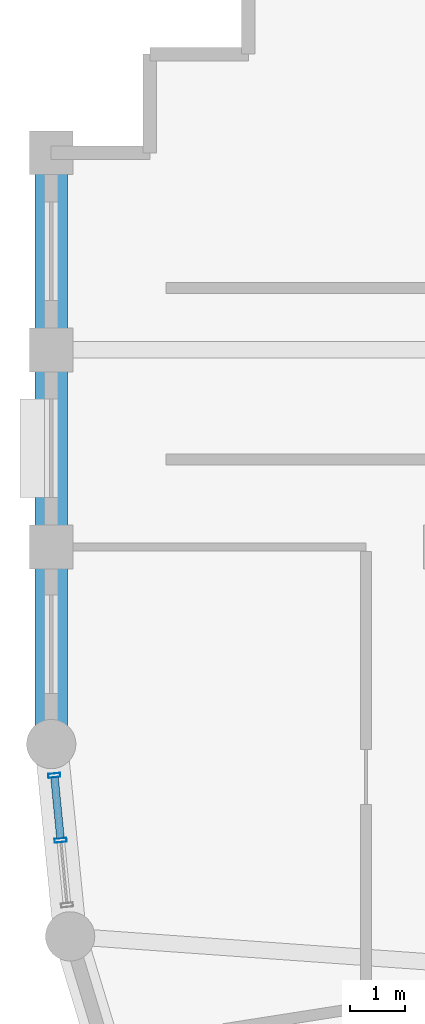
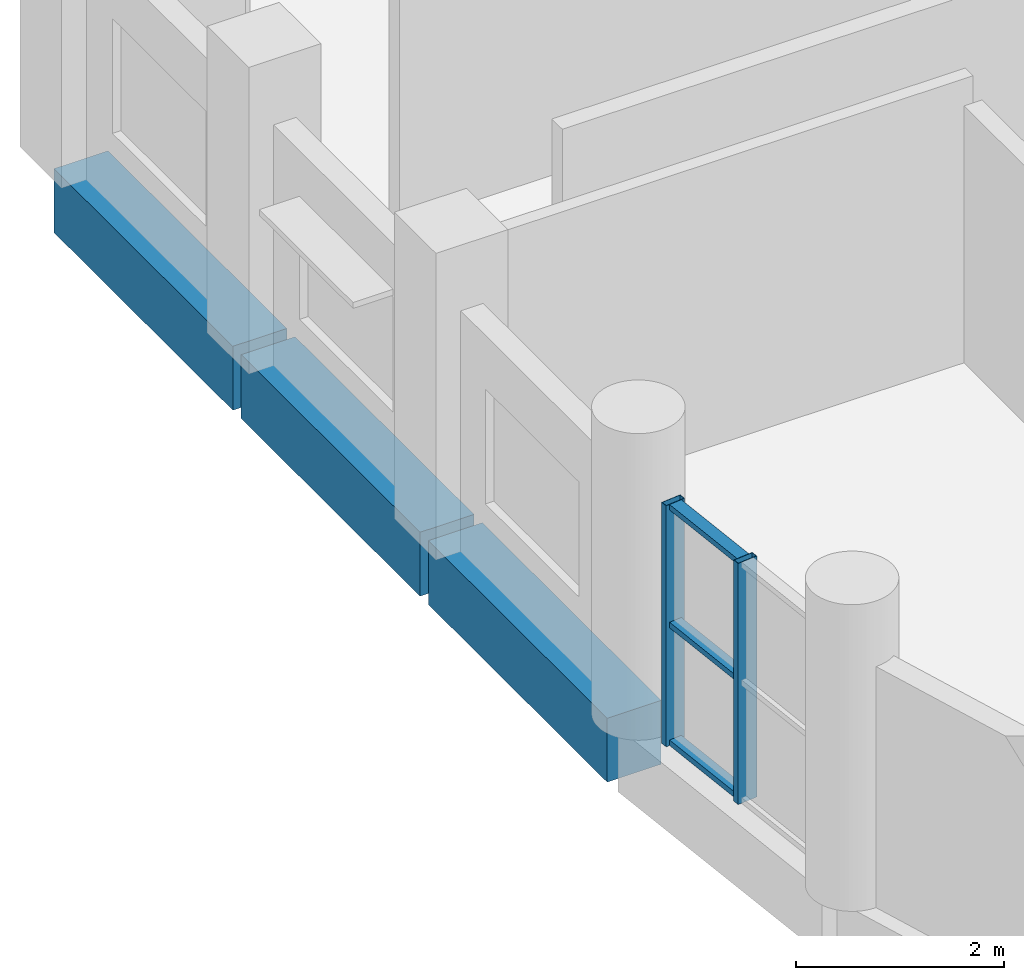
# One storey, part 5 of 12: 5 members, 3 beams, 1 element without a shape of its own.
"""IFC4 building model written with IfcOpenShell, lengths in metres."""

import ifcopenshell
import ifcopenshell.guid

model = None  # the IFC model being written
_history = None  # IfcOwnerHistory: only IFC2X3 demands one
_inside = {}  # id of a spatial element -> (the spatial element, [elements in it])
_under = {}  # id of a project, library or spatial element -> (it, [spatial elements below it])
_declared = {}  # id of a project -> (the project, [libraries it declares])
_typed = {}  # id of a type object -> (the type object, [elements of that type])
_made_of = {}  # id of a material, layer set ... -> (it, [elements and type objects made of it])


def new_model(schema):
    """Start an empty IFC model of exactly this schema.

    Asked for "IFC4X3", IfcOpenShell would pick the latest addendum, in which some entities
    have other attributes; the version numbers below select the first issue.
    IFC2X3 requires an IfcOwnerHistory on every rooted entity: one is made here for all.
    """
    global model, _history
    if schema == "IFC4X3":
        model = ifcopenshell.file(schema_version=(4, 3, 0, 0))
    else:
        model = ifcopenshell.file(schema=schema)
    _inside.clear()
    _under.clear()
    _declared.clear()
    _typed.clear()
    _made_of.clear()
    _history = None
    if model.schema == "IFC2X3":
        org = make("IfcOrganization", Name="unknown")
        user = make(
            "IfcPersonAndOrganization",
            ThePerson=make("IfcPerson", FamilyName="unknown"),
            TheOrganization=org,
        )
        app = make(
            "IfcApplication",
            ApplicationDeveloper=org,
            Version="unknown",
            ApplicationFullName="unknown",
            ApplicationIdentifier="unknown",
        )
        _history = make(
            "IfcOwnerHistory",
            OwningUser=user,
            OwningApplication=app,
            ChangeAction="ADDED",
            CreationDate=0,
        )
    return model


def make(cls, **values):
    """One entity of the class cls with the attributes given. An attribute that is None is left unset."""
    return model.create_entity(
        cls, **{name: value for name, value in values.items() if value is not None}
    )


def rooted(cls, **values):
    """An entity with a GlobalId (a new one), such as an element, a storey or a relation."""
    return make(cls, GlobalId=ifcopenshell.guid.new(), OwnerHistory=_history, **values)


def si_unit(unit_type, name, prefix=None):
    """IfcSIUnit, for example si_unit("LENGTHUNIT", "METRE", prefix="MILLI")."""
    return make("IfcSIUnit", UnitType=unit_type, Prefix=prefix, Name=name)


def assignment(units):
    """IfcUnitAssignment: the units of a project."""
    return None if units is None else make("IfcUnitAssignment", Units=units)


def point(xyz):
    """IfcCartesianPoint."""
    return None if xyz is None else make("IfcCartesianPoint", Coordinates=xyz)


def direction(xyz):
    """IfcDirection."""
    return None if xyz is None else make("IfcDirection", DirectionRatios=xyz)


def frame(location, z_axis=None, x_axis=None):
    """IfcAxis2Placement3D, a coordinate frame: its origin and axes. An axis left out is left unset."""
    return make(
        "IfcAxis2Placement3D",
        Location=point(location),
        Axis=direction(z_axis),
        RefDirection=direction(x_axis),
    )


def frame_2d(location, x_axis=None):
    """IfcAxis2Placement2D, a coordinate frame in the plane: its origin and x axis."""
    return make(
        "IfcAxis2Placement2D", Location=point(location), RefDirection=direction(x_axis)
    )


def origin():
    """The frame at (0, 0, 0) with its axes left unset."""
    return frame((0.0, 0.0, 0.0))


def origin_2d():
    """The frame at (0, 0) in the plane with its x axis left unset."""
    return frame_2d((0.0, 0.0))


def place(relative_to, where):
    """IfcLocalPlacement: puts the frame where relative to a parent placement (None: the world)."""
    return make(
        "IfcLocalPlacement", PlacementRelTo=relative_to, RelativePlacement=where
    )


def context(
    kind, dimensions, precision=None, world=None, true_north=None, identifier=None
):
    """IfcGeometricRepresentationContext, for example the 3D "Model" context."""
    return make(
        "IfcGeometricRepresentationContext",
        ContextIdentifier=identifier,
        ContextType=kind,
        CoordinateSpaceDimension=dimensions,
        Precision=precision,
        WorldCoordinateSystem=world,
        TrueNorth=true_north,
    )


def subcontext(parent, identifier, kind, view, scale=None):
    """IfcGeometricRepresentationSubContext, for example "Body" below "Model"."""
    return make(
        "IfcGeometricRepresentationSubContext",
        ContextIdentifier=identifier,
        ContextType=kind,
        ParentContext=parent,
        TargetScale=scale,
        TargetView=view,
    )


def project(units=None, contexts=None):
    """IfcProject with its units and contexts."""
    return rooted(
        "IfcProject",
        Name="project",
        RepresentationContexts=contexts,
        UnitsInContext=assignment(units),
    )


def spatial(cls, under=None, at=None, **own):
    """A site, building, storey or space (cls), placed at a placement, below another one or the project."""
    s = rooted(cls, ObjectPlacement=at, **own)
    if under is not None:
        _under.setdefault(under.id(), (under, []))[1].append(s)
    return s


def profile(cls, at=None, kind="AREA", **sizes):
    """A parametric profile (cls). Its sizes go by their IFC names, for example OverallWidth=200.0."""
    return make(cls, ProfileType=kind, Position=at, **sizes)


def rectangle(**sizes):
    """IfcRectangleProfileDef."""
    return profile("IfcRectangleProfileDef", **sizes)


def hollow_rectangle(**sizes):
    """IfcRectangleHollowProfileDef."""
    return profile("IfcRectangleHollowProfileDef", **sizes)


def extrude(swept, where, along, depth):
    """IfcExtrudedAreaSolid: the profile swept, set in the frame where, extruded along a direction by depth."""
    return make(
        "IfcExtrudedAreaSolid",
        SweptArea=swept,
        Position=where,
        ExtrudedDirection=direction(along),
        Depth=depth,
    )


def shape(context_of_items, identifier, shape_type, items):
    """IfcShapeRepresentation: the items that make up one representation, for example the "Body"."""
    return make(
        "IfcShapeRepresentation",
        ContextOfItems=context_of_items,
        RepresentationIdentifier=identifier,
        RepresentationType=shape_type,
        Items=items,
    )


def material(Name=None, Category=None):
    """IfcMaterial."""
    return make("IfcMaterial", Name=Name, Category=Category)


def layer(
    of_material, thickness, ventilated=None, Name=None, Category=None, Priority=None
):
    """IfcMaterialLayer: one layer of a wall or slab, of a material (None: an air gap)."""
    return make(
        "IfcMaterialLayer",
        Material=of_material,
        LayerThickness=thickness,
        IsVentilated=ventilated,
        Name=Name,
        Category=Category,
        Priority=Priority,
    )


def layer_set(layers, Name=None):
    """IfcMaterialLayerSet."""
    return make("IfcMaterialLayerSet", MaterialLayers=layers, LayerSetName=Name)


def material_profile(
    of_material, cross_section, Name=None, Category=None, Priority=None
):
    """IfcMaterialProfile: a cross section and its material."""
    return make(
        "IfcMaterialProfile",
        Name=Name,
        Material=of_material,
        Profile=cross_section,
        Priority=Priority,
        Category=Category,
    )


def profile_set(profiles, Name=None, composite=None):
    """IfcMaterialProfileSet."""
    return make(
        "IfcMaterialProfileSet",
        Name=Name,
        MaterialProfiles=profiles,
        CompositeProfile=composite,
    )


def made_of(thing, what):
    """Note that an element or type object is made of a material, layer set ...; save() writes the relation."""
    if what is not None:
        _made_of.setdefault(what.id(), (what, []))[1].append(thing)
    return thing


def type_object(cls, material=None, **own):
    """A type object (cls), such as IfcWallType, which elements share."""
    return made_of(rooted(cls, **own), material)


def element(
    cls,
    number,
    at=None,
    inside=None,
    cuts=None,
    type_object=None,
    material=None,
    context=None,
    identifier="Body",
    shape_type=None,
    held_by="IfcProductDefinitionShape",
    body=None,
    shapes=None,
    **own,
):
    """One element of the class cls, such as IfcWall. Its Tag is "e" and its number.

    at: its placement. inside: the storey or other place that contains it. cuts: it is an
    opening in that element (IfcRelVoidsElement). A single representation is given by context,
    identifier, shape_type and body (its items); several are given by shapes. held_by: the class
    of the entity that holds the representations. save() writes the other relations.
    """
    e = rooted(cls, Tag="e%d" % number, ObjectPlacement=at, **own)
    if body is not None:
        shapes = [shape(context, identifier, shape_type, body)]
    if shapes is not None:
        e.Representation = make(held_by, Representations=shapes)
    if inside is not None:
        _inside.setdefault(inside.id(), (inside, []))[1].append(e)
    if cuts is not None:
        rooted(
            "IfcRelVoidsElement", RelatingBuildingElement=cuts, RelatedOpeningElement=e
        )
    if type_object is not None:
        _typed.setdefault(type_object.id(), (type_object, []))[1].append(e)
    return made_of(e, material)


def aggregate(whole, parts):
    """IfcRelAggregates: a whole, such as a stair, and the parts it consists of."""
    return rooted("IfcRelAggregates", RelatingObject=whole, RelatedObjects=parts)


def save(model, path):
    """Write the relations noted so far, then the file.

    IfcRelAggregates (storeys below a building ...), IfcRelContainedInSpatialStructure (elements
    in a storey), IfcRelDefinesByType, IfcRelAssociatesMaterial and IfcRelDeclares: one each for
    every whole, place, type object, material and project.
    """
    for whole, parts in _under.values():
        aggregate(whole, parts)
    for where, things in _inside.values():
        rooted(
            "IfcRelContainedInSpatialStructure",
            RelatedElements=things,
            RelatingStructure=where,
        )
    for kind, things in _typed.values():
        rooted("IfcRelDefinesByType", RelatedObjects=things, RelatingType=kind)
    for what, things in _made_of.values():
        rooted("IfcRelAssociatesMaterial", RelatedObjects=things, RelatingMaterial=what)
    for by, libraries in _declared.values():
        rooted("IfcRelDeclares", RelatingContext=by, RelatedDefinitions=libraries)
    model.write(path)


model = new_model("IFC4")

# Units and contexts
model_context = context("Model", 3, precision=1e-05, world=origin(), true_north=direction((0.0, 1.0)))
body_context = subcontext(model_context, "Body", "Model", "MODEL_VIEW")
ifc_project = project(units=[si_unit("LENGTHUNIT", "METRE"), si_unit("AREAUNIT", "SQUARE_METRE"), si_unit("VOLUMEUNIT", "CUBIC_METRE"), si_unit("PLANEANGLEUNIT", "RADIAN"), si_unit("MASSUNIT", "GRAM", prefix="KILO")], contexts=[model_context])

# Site, building, storey
site_placement = place(None, origin())
site = spatial("IfcSite", under=ifc_project, at=site_placement, CompositionType="ELEMENT")
building_placement = place(site_placement, origin())
building = spatial("IfcBuilding", under=site, at=building_placement, Name="Solnavia Interchange Tower", CompositionType="ELEMENT")
storey_placement = place(building_placement, frame((0.0, 0.0, 228.199951171875)))
storey = spatial("IfcBuildingStorey", under=building, at=storey_placement, Name="L57", CompositionType="ELEMENT", Elevation=228.199951171875)

# Beams
ifc_material_1 = material(Name="Concrete C50/60", Category="concrete")
ifc_material_profile_1 = material_profile(ifc_material_1, rectangle(XDim=0.60009765625, YDim=0.75, at=origin_2d()), Name="RC 600x750")
ifc_profile_set_1 = profile_set([ifc_material_profile_1], Name="Concrete C50/60")
beam_type = type_object("IfcBeamType", Name="Beam-Spandrel-RC600x750", PredefinedType="SPANDREL", material=ifc_profile_set_1)
beam_1_placement = place(storey_placement, frame((7.199951171875, 32.320068359375, -0.375), z_axis=(0.0, -1.0, 0.0), x_axis=(1.0, 0.0, 0.0)))
element("IfcBeam", 1, at=beam_1_placement, inside=storey, type_object=beam_type, Name="SPB-L57-25 Framed-tube perimeter spandrel beam", PredefinedType="SPANDREL", context=body_context, shape_type="SweptSolid", body=[
    extrude(rectangle(XDim=0.60009765625, YDim=0.75, at=origin_2d()), origin(), (0.0, 0.0, 1.0), 3.440185546875),
])
beam_2_placement = place(storey_placement, frame((7.199951171875, 28.719970703125, -0.375), z_axis=(0.0, -1.0, 0.0), x_axis=(1.0, 0.0, 0.0)))
element("IfcBeam", 2, at=beam_2_placement, inside=storey, type_object=beam_type, Name="SPB-L57-26 Framed-tube perimeter spandrel beam", PredefinedType="SPANDREL", context=body_context, shape_type="SweptSolid", body=[
    extrude(rectangle(XDim=0.60009765625, YDim=0.75, at=origin_2d()), origin(), (0.0, 0.0, 1.0), 3.43994140625),
])
beam_3_placement = place(storey_placement, frame((7.199951171875, 25.1201171875, -0.375), z_axis=(0.0, -1.0, 0.0), x_axis=(1.0, 0.0, 0.0)))
element("IfcBeam", 3, at=beam_3_placement, inside=storey, type_object=beam_type, Name="SPB-L57-27 Framed-tube perimeter spandrel beam", PredefinedType="SPANDREL", context=body_context, shape_type="SweptSolid", body=[
    extrude(rectangle(XDim=0.60009765625, YDim=0.75, at=origin_2d()), origin(), (0.0, 0.0, 1.0), 3.440185546875),
])

# Curtain wall, members
ifc_material_2 = material(Name="Aluminium Alloy 6063-T6", Category="aluminium")
ifc_layer = layer(ifc_material_2, 0.239990234375)
ifc_layer_set = layer_set([ifc_layer], Name="Aluminium Alloy 6063-T6")
curtain_wall_type = type_object("IfcCurtainWallType", Name="CurtainWall-Drum-CTW2", PredefinedType="NOTDEFINED", material=ifc_layer_set)
curtain_wall_placement = place(storey_placement, origin())
curtain_wall = element("IfcCurtainWall", 4, at=curtain_wall_placement, inside=storey, type_object=curtain_wall_type, Name="CTW-L57-D37 CTW-2 curtain wall", PredefinedType="NOTDEFINED")
ifc_material_profile_2 = material_profile(ifc_material_2, hollow_rectangle(XDim=0.074951171875, YDim=0.219970703125, WallThickness=0.0048828125, at=origin_2d()), Name="ALU 220x75x5")
ifc_profile_set_2 = profile_set([ifc_material_profile_2], Name="Aluminium Alloy 6063-T6")
member_type_1 = type_object("IfcMemberType", Name="CW-Mullion-CWM-2", PredefinedType="MULLION", material=ifc_profile_set_2)
member_1_placement = place(storey_placement, frame((7.25634765625, 21.02783203125, 0.0), z_axis=(0.0, 0.0, 1.0), x_axis=(0.098043088306, -0.995182170678, 0.0)))
member_1 = element("IfcMember", 5, at=member_1_placement, type_object=member_type_1, Name="CTW-2 mullion 1", PredefinedType="MULLION", context=body_context, shape_type="SweptSolid", body=[
    extrude(hollow_rectangle(XDim=0.074951171875, YDim=0.219970703125, WallThickness=0.0048828125, at=origin_2d()), origin(), (0.0, 0.0, 1.0), 2.830078125),
])
member_2_placement = place(storey_placement, frame((7.373046875, 19.843994140625, 0.0), z_axis=(0.0, 0.0, 1.0), x_axis=(0.098043088306, -0.995182170678, 0.0)))
member_2 = element("IfcMember", 6, at=member_2_placement, type_object=member_type_1, Name="CTW-2 mullion 2", PredefinedType="MULLION", context=body_context, shape_type="SweptSolid", body=[
    extrude(hollow_rectangle(XDim=0.074951171875, YDim=0.219970703125, WallThickness=0.0048828125, at=origin_2d()), origin(), (0.0, 0.0, 1.0), 2.830078125),
])
ifc_material_profile_3 = material_profile(ifc_material_2, hollow_rectangle(XDim=0.06494140625, YDim=0.139892578125, WallThickness=0.00390625, at=origin_2d()), Name="ALU 140x65x4")
ifc_profile_set_3 = profile_set([ifc_material_profile_3], Name="Aluminium Alloy 6063-T6")
member_type_2 = type_object("IfcMemberType", Name="CW-Transom-CWT-2", PredefinedType="USERDEFINED", material=ifc_profile_set_3)
member_3_placement = place(storey_placement, frame((7.260009765625, 20.990478515625, 0.032470703125), z_axis=(0.098137234257, -0.995172891136, 0.0), x_axis=(0.0, 0.0, 1.0)))
member_3 = element("IfcMember", 7, at=member_3_placement, type_object=member_type_2, Name="CTW-2 transom 1.1", ObjectType="TRANSOM", PredefinedType="USERDEFINED", context=body_context, shape_type="SweptSolid", body=[
    extrude(hollow_rectangle(XDim=0.06494140625, YDim=0.139892578125, WallThickness=0.00390625, at=origin_2d()), origin(), (0.0, 0.0, 1.0), 1.114501953125),
])
member_4_placement = place(storey_placement, frame((7.260009765625, 20.990478515625, 1.4150390625), z_axis=(0.098137234257, -0.995172891136, 0.0), x_axis=(0.0, 0.0, 1.0)))
member_4 = element("IfcMember", 8, at=member_4_placement, type_object=member_type_2, Name="CTW-2 transom 1.2", ObjectType="TRANSOM", PredefinedType="USERDEFINED", context=body_context, shape_type="SweptSolid", body=[
    extrude(hollow_rectangle(XDim=0.06494140625, YDim=0.139892578125, WallThickness=0.00390625, at=origin_2d()), origin(), (0.0, 0.0, 1.0), 1.114501953125),
])
member_5_placement = place(storey_placement, frame((7.260009765625, 20.990478515625, 2.797607421875), z_axis=(0.098137234257, -0.995172891136, 0.0), x_axis=(0.0, 0.0, 1.0)))
member_5 = element("IfcMember", 9, at=member_5_placement, type_object=member_type_2, Name="CTW-2 transom 1.3", ObjectType="TRANSOM", PredefinedType="USERDEFINED", context=body_context, shape_type="SweptSolid", body=[
    extrude(hollow_rectangle(XDim=0.06494140625, YDim=0.139892578125, WallThickness=0.00390625, at=origin_2d()), origin(), (0.0, 0.0, 1.0), 1.114501953125),
])
aggregate(curtain_wall, [member_1, member_2, member_3, member_4, member_5])

save(model, "model.ifc")
